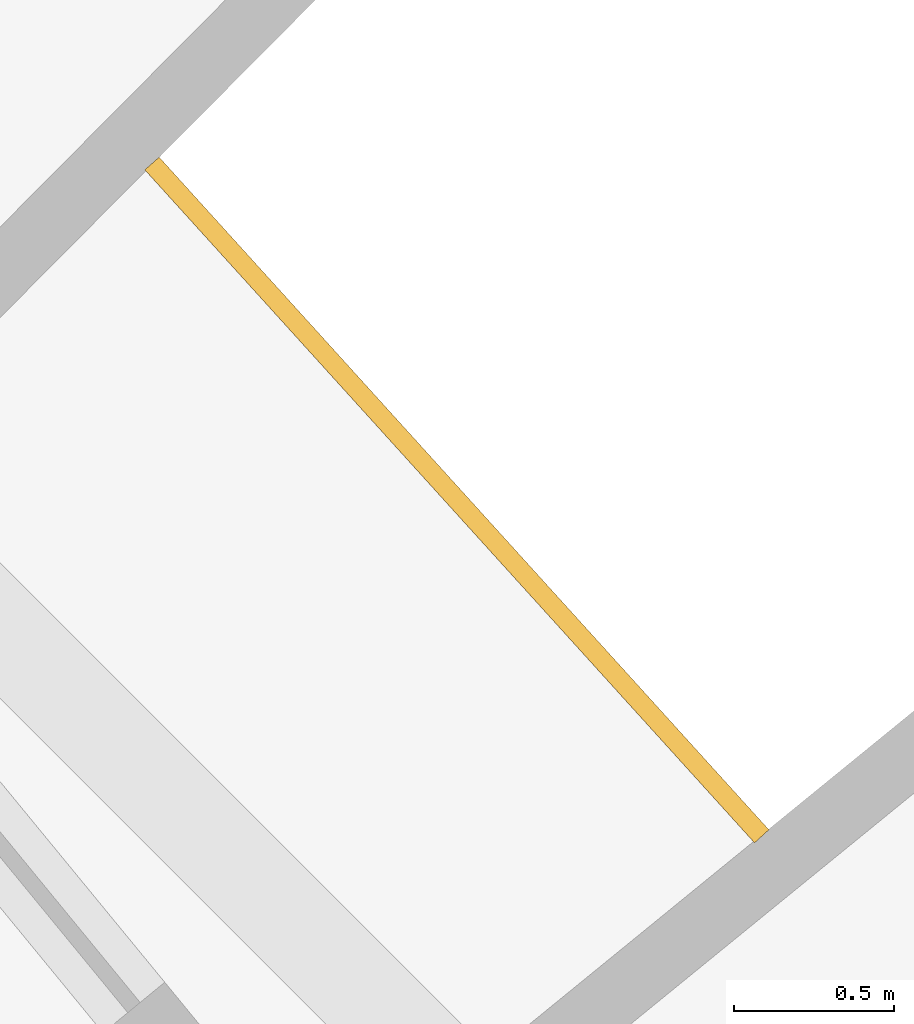
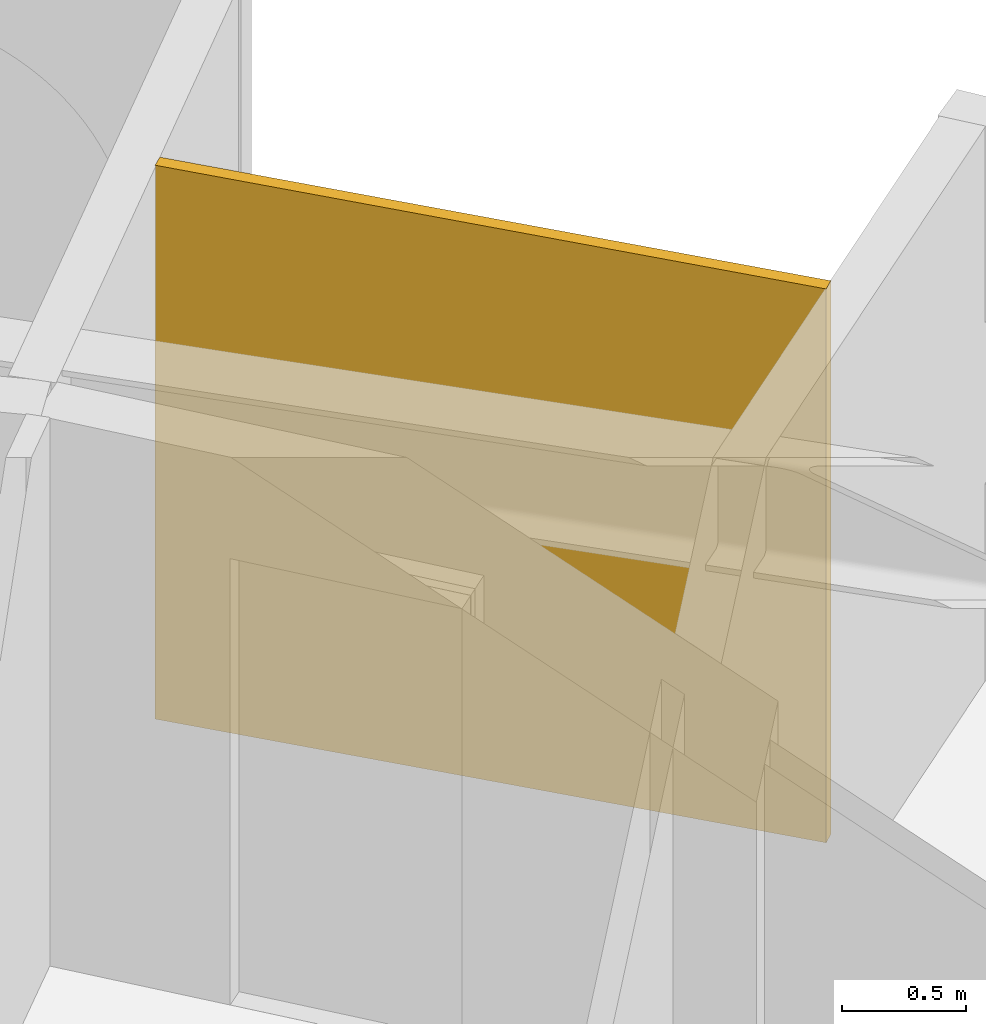
# One storey, part 26 of 26: 1 railing.
"""IFC4 building model written with IfcOpenShell, lengths in metres."""

from ifc_helpers import new_model, si_unit, direction, frame, origin, place, context, subcontext, project, spatial, polyline, outline, extrude, material, layer, layer_set, type_object, element, save


model = new_model("IFC4")

# Units and contexts
model_context = context("Model", 3, precision=1e-05, world=origin(), true_north=direction((0.0, 1.0)))
body_context = subcontext(model_context, "Body", "Model", "MODEL_VIEW")
ifc_project = project(units=[si_unit("LENGTHUNIT", "METRE"), si_unit("AREAUNIT", "SQUARE_METRE"), si_unit("VOLUMEUNIT", "CUBIC_METRE"), si_unit("PLANEANGLEUNIT", "RADIAN"), si_unit("MASSUNIT", "GRAM", prefix="KILO")], contexts=[model_context])

# Site, building, storey
site_placement = place(None, origin())
site = spatial("IfcSite", under=ifc_project, at=site_placement, CompositionType="ELEMENT")
building_placement = place(site_placement, origin())
building = spatial("IfcBuilding", under=site, at=building_placement, Name="Maasbend Ring Residences", CompositionType="ELEMENT")
storey_placement = place(building_placement, frame((0.0, 0.0, 75.800048828125)))
storey = spatial("IfcBuildingStorey", under=building, at=storey_placement, Name="L21", CompositionType="ELEMENT", Elevation=75.800048828125)

# Railing
ifc_material = material(Name="Pale anodised perforated aluminium", Category="aluminium")
ifc_layer = layer(ifc_material, 0.06005859375)
ifc_layer_set = layer_set([ifc_layer], Name="SCREEN-P")
railing_type = type_object("IfcRailingType", Name="SCREEN-P", PredefinedType="GUARDRAIL", material=ifc_layer_set)
railing_placement = place(storey_placement, frame((0.0, 0.0, -0.030029296875)))
element("IfcRailing", 1, at=railing_placement, inside=storey, type_object=railing_type, Name="Perforated screen guard 1", PredefinedType="GUARDRAIL", context=body_context, shape_type="SweptSolid", body=[
    extrude(outline(polyline([(22.4169921875, 18.39697265625), (20.506103515625, 20.506103515625), (20.551025390625, 20.5458984375), (22.4619140625, 18.43798828125), (22.4169921875, 18.39697265625)])), origin(), (0.0, 0.0, 1.0), 2.72998046875),
])

save(model, "model.ifc")
